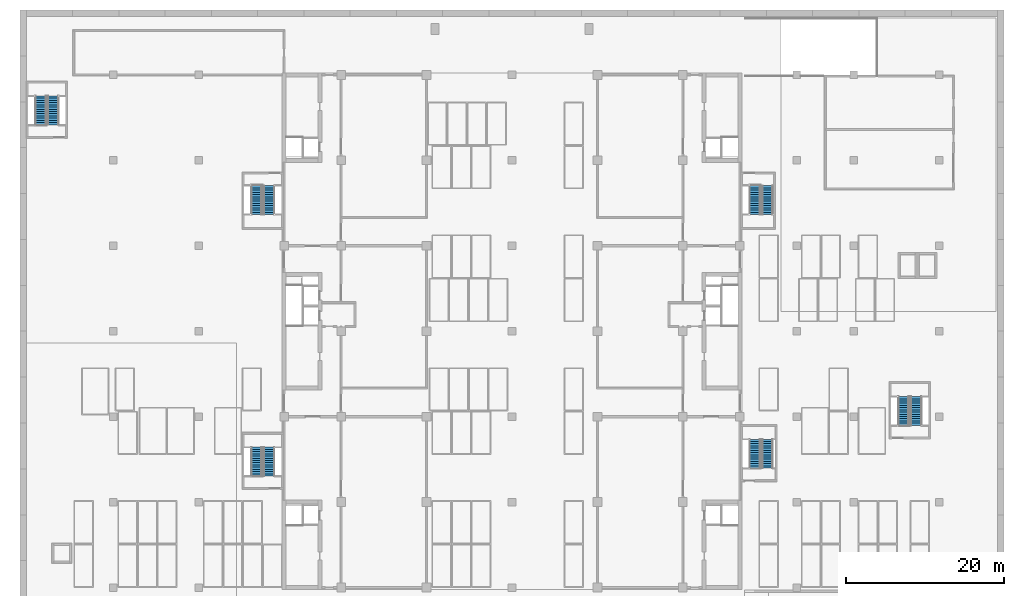
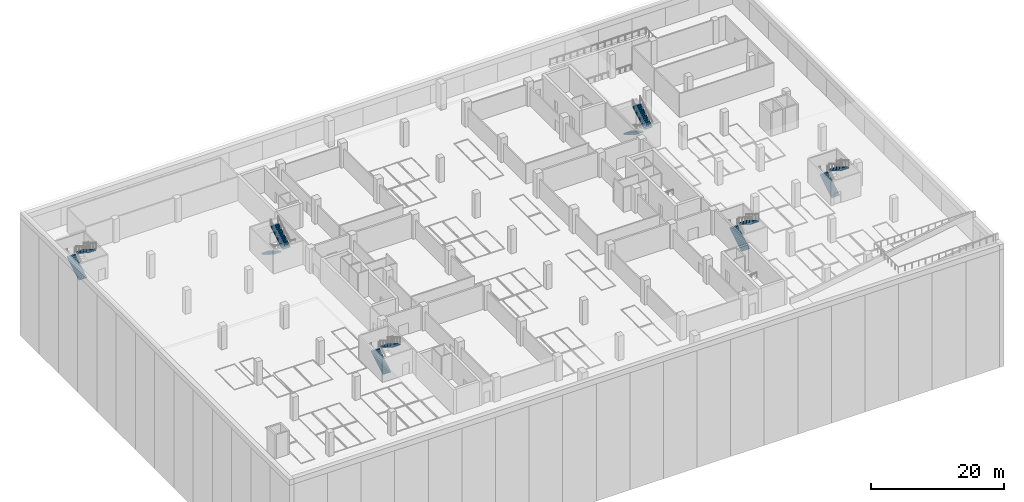
# One storey, part 10 of 18: 12 stair flights, 6 elements without a shape of their own.
"""IFC4 building model written with IfcOpenShell, lengths in metres."""

from ifc_helpers import new_model, si_unit, direction, frame, origin, place, context, subcontext, project, spatial, polyline, outline, extrude, material, type_object, element, aggregate, save


model = new_model("IFC4")

# Units and contexts
model_context = context("Model", 3, precision=1e-05, world=origin(), true_north=direction((0.0, 1.0)))
body_context = subcontext(model_context, "Body", "Model", "MODEL_VIEW")
ifc_project = project(units=[si_unit("LENGTHUNIT", "METRE"), si_unit("AREAUNIT", "SQUARE_METRE"), si_unit("VOLUMEUNIT", "CUBIC_METRE"), si_unit("PLANEANGLEUNIT", "RADIAN"), si_unit("MASSUNIT", "GRAM", prefix="KILO")], contexts=[model_context])

# Site, building, storey
site_placement = place(None, origin())
site = spatial("IfcSite", under=ifc_project, at=site_placement, CompositionType="ELEMENT")
building_placement = place(site_placement, origin())
building = spatial("IfcBuilding", under=site, at=building_placement, Name="Basin Gate Institute", CompositionType="ELEMENT")
storey_placement = place(building_placement, frame((0.0, 0.0, -4.800048828125)))
storey = spatial("IfcBuildingStorey", under=building, at=storey_placement, Name="B1", CompositionType="ELEMENT", Elevation=-4.800048828125)

# Stair, stair flights
ifc_material_1 = material(Name="Concrete 40 MPa", Category="concrete")
stair_type = type_object("IfcStairType", Name="Stair ST", PredefinedType="HALF_TURN_STAIR", material=ifc_material_1)
stair_1_placement = place(storey_placement, origin())
stair_1 = element("IfcStair", 1, at=stair_1_placement, inside=storey, type_object=stair_type, material=ifc_material_1, Name="Basement stair ST-BS1 B1", PredefinedType="HALF_TURN_STAIR")
ifc_material_2 = material(Name="Concrete 40 MPa", Category="concrete")
stair_flight_type = type_object("IfcStairFlightType", Name="Stair flight FL", PredefinedType="STRAIGHT", material=ifc_material_2)
stair_flight_1_placement = place(storey_placement, frame((57.699951171875, 49.199951171875, 0.0), z_axis=(0.0, 0.0, 1.0), x_axis=(0.0, 1.0, 0.0)))
stair_flight_1 = element("IfcStairFlight", 2, at=stair_flight_1_placement, type_object=stair_flight_type, material=ifc_material_2, Name="Stair flight ST-BS1-F1 B1", NumberOfRisers=14, NumberOfTreads=13, PredefinedType="STRAIGHT", RiserHeight=0.171428571, TreadLength=0.28, context=body_context, shape_type="SweptSolid", body=[
    extrude(outline(polyline([(0.0, 0.0), (0.0, 0.17138671875), (0.280029296875, 0.17138671875), (0.280029296875, 0.3427734375), (0.56005859375, 0.3427734375), (0.56005859375, 0.514404296875), (0.840087890625, 0.514404296875), (0.840087890625, 0.685791015625), (1.1201171875, 0.685791015625), (1.1201171875, 0.857177734375), (1.39990234375, 0.857177734375), (1.39990234375, 1.028564453125), (1.679931640625, 1.028564453125), (1.679931640625, 1.199951171875), (1.9599609375, 1.199951171875), (1.9599609375, 1.371337890625), (2.239990234375, 1.371337890625), (2.239990234375, 1.54296875), (2.52001953125, 1.54296875), (2.52001953125, 1.71435546875), (2.800048828125, 1.71435546875), (2.800048828125, 1.8857421875), (3.080078125, 1.8857421875), (3.080078125, 2.05712890625), (3.360107421875, 2.05712890625), (3.360107421875, 2.228515625), (3.639892578125, 2.228515625), (3.639892578125, 2.39990234375), (3.639892578125, 2.052734375), (0.287109375, 0.0), (0.0, 0.0)])), frame((0.0, 0.699951171875, 0.0), z_axis=(0.0, -1.0, 0.0), x_axis=(1.0, 0.0, 0.0)), (0.0, 0.0, 1.0), 1.39990234375),
])
stair_flight_2_placement = place(storey_placement, frame((59.300048828125, 52.840087890625, 2.400146484375), z_axis=(0.0, 0.0, 1.0), x_axis=(0.0, -1.0, 0.0)))
stair_flight_2 = element("IfcStairFlight", 3, at=stair_flight_2_placement, type_object=stair_flight_type, material=ifc_material_2, Name="Stair flight ST-BS1-F2 B1", NumberOfRisers=14, NumberOfTreads=13, PredefinedType="STRAIGHT", RiserHeight=0.171428571, TreadLength=0.28, context=body_context, shape_type="SweptSolid", body=[
    extrude(outline(polyline([(0.0, 0.0), (0.0, 0.17138671875), (0.280029296875, 0.17138671875), (0.280029296875, 0.3427734375), (0.56005859375, 0.3427734375), (0.56005859375, 0.514404296875), (0.840087890625, 0.514404296875), (0.840087890625, 0.685791015625), (1.1201171875, 0.685791015625), (1.1201171875, 0.857177734375), (1.39990234375, 0.857177734375), (1.39990234375, 1.028564453125), (1.679931640625, 1.028564453125), (1.679931640625, 1.199951171875), (1.9599609375, 1.199951171875), (1.9599609375, 1.371337890625), (2.239990234375, 1.371337890625), (2.239990234375, 1.54296875), (2.52001953125, 1.54296875), (2.52001953125, 1.71435546875), (2.800048828125, 1.71435546875), (2.800048828125, 1.8857421875), (3.080078125, 1.8857421875), (3.080078125, 2.05712890625), (3.360107421875, 2.05712890625), (3.360107421875, 2.228515625), (3.639892578125, 2.228515625), (3.639892578125, 2.39990234375), (3.639892578125, 2.052734375), (0.287109375, 0.0), (0.0, 0.0)])), frame((0.0, 0.699951171875, 0.0), z_axis=(0.0, -1.0, 0.0), x_axis=(1.0, 0.0, 0.0)), (0.0, 0.0, 1.0), 1.39990234375),
])
aggregate(stair_1, [stair_flight_1, stair_flight_2])

stair_2_placement = place(storey_placement, origin())
stair_2 = element("IfcStair", 4, at=stair_2_placement, inside=storey, type_object=stair_type, material=ifc_material_1, Name="Basement stair ST-BS2 B1", PredefinedType="HALF_TURN_STAIR")
stair_flight_3_placement = place(storey_placement, frame((57.699951171875, 85.89990234375, 0.0), z_axis=(0.0, 0.0, 1.0), x_axis=(0.0, -1.0, 0.0)))
stair_flight_3 = element("IfcStairFlight", 5, at=stair_flight_3_placement, type_object=stair_flight_type, material=ifc_material_2, Name="Stair flight ST-BS2-F1 B1", NumberOfRisers=14, NumberOfTreads=13, PredefinedType="STRAIGHT", RiserHeight=0.171428571, TreadLength=0.28, context=body_context, shape_type="SweptSolid", body=[
    extrude(outline(polyline([(0.0, 0.0), (0.0, 0.17138671875), (0.280029296875, 0.17138671875), (0.280029296875, 0.3427734375), (0.56005859375, 0.3427734375), (0.56005859375, 0.514404296875), (0.840087890625, 0.514404296875), (0.840087890625, 0.685791015625), (1.1201171875, 0.685791015625), (1.1201171875, 0.857177734375), (1.39990234375, 0.857177734375), (1.39990234375, 1.028564453125), (1.679931640625, 1.028564453125), (1.679931640625, 1.199951171875), (1.9599609375, 1.199951171875), (1.9599609375, 1.371337890625), (2.239990234375, 1.371337890625), (2.239990234375, 1.54296875), (2.52001953125, 1.54296875), (2.52001953125, 1.71435546875), (2.800048828125, 1.71435546875), (2.800048828125, 1.8857421875), (3.080078125, 1.8857421875), (3.080078125, 2.05712890625), (3.360107421875, 2.05712890625), (3.360107421875, 2.228515625), (3.639892578125, 2.228515625), (3.639892578125, 2.39990234375), (3.639892578125, 2.052734375), (0.287109375, 0.0), (0.0, 0.0)])), frame((0.0, 0.699951171875, 0.0), z_axis=(0.0, -1.0, 0.0), x_axis=(1.0, 0.0, 0.0)), (0.0, 0.0, 1.0), 1.39990234375),
])
stair_flight_4_placement = place(storey_placement, frame((59.300048828125, 82.260009765625, 2.400146484375), z_axis=(0.0, 0.0, 1.0), x_axis=(0.0, 1.0, 0.0)))
stair_flight_4 = element("IfcStairFlight", 6, at=stair_flight_4_placement, type_object=stair_flight_type, material=ifc_material_2, Name="Stair flight ST-BS2-F2 B1", NumberOfRisers=14, NumberOfTreads=13, PredefinedType="STRAIGHT", RiserHeight=0.171428571, TreadLength=0.28, context=body_context, shape_type="SweptSolid", body=[
    extrude(outline(polyline([(0.0, 0.0), (0.0, 0.17138671875), (0.280029296875, 0.17138671875), (0.280029296875, 0.3427734375), (0.56005859375, 0.3427734375), (0.56005859375, 0.514404296875), (0.840087890625, 0.514404296875), (0.840087890625, 0.685791015625), (1.1201171875, 0.685791015625), (1.1201171875, 0.857177734375), (1.39990234375, 0.857177734375), (1.39990234375, 1.028564453125), (1.679931640625, 1.028564453125), (1.679931640625, 1.199951171875), (1.9599609375, 1.199951171875), (1.9599609375, 1.371337890625), (2.239990234375, 1.371337890625), (2.239990234375, 1.54296875), (2.52001953125, 1.54296875), (2.52001953125, 1.71435546875), (2.800048828125, 1.71435546875), (2.800048828125, 1.8857421875), (3.080078125, 1.8857421875), (3.080078125, 2.05712890625), (3.360107421875, 2.05712890625), (3.360107421875, 2.228515625), (3.639892578125, 2.228515625), (3.639892578125, 2.39990234375), (3.639892578125, 2.052734375), (0.287109375, 0.0), (0.0, 0.0)])), frame((0.0, 0.699951171875, 0.0), z_axis=(0.0, -1.0, 0.0), x_axis=(1.0, 0.0, 0.0)), (0.0, 0.0, 1.0), 1.39990234375),
])
aggregate(stair_2, [stair_flight_3, stair_flight_4])

stair_3_placement = place(storey_placement, origin())
stair_3 = element("IfcStair", 7, at=stair_3_placement, inside=storey, type_object=stair_type, material=ifc_material_1, Name="Basement stair ST-BS3 B1", PredefinedType="HALF_TURN_STAIR")
stair_flight_5_placement = place(storey_placement, frame((120.699951171875, 50.199951171875, 0.0), z_axis=(0.0, 0.0, 1.0), x_axis=(0.0, 1.0, 0.0)))
stair_flight_5 = element("IfcStairFlight", 8, at=stair_flight_5_placement, type_object=stair_flight_type, material=ifc_material_2, Name="Stair flight ST-BS3-F1 B1", NumberOfRisers=14, NumberOfTreads=13, PredefinedType="STRAIGHT", RiserHeight=0.171428571, TreadLength=0.28, context=body_context, shape_type="SweptSolid", body=[
    extrude(outline(polyline([(0.0, 0.0), (0.0, 0.17138671875), (0.280029296875, 0.17138671875), (0.280029296875, 0.3427734375), (0.56005859375, 0.3427734375), (0.56005859375, 0.514404296875), (0.840087890625, 0.514404296875), (0.840087890625, 0.685791015625), (1.1201171875, 0.685791015625), (1.1201171875, 0.857177734375), (1.39990234375, 0.857177734375), (1.39990234375, 1.028564453125), (1.679931640625, 1.028564453125), (1.679931640625, 1.199951171875), (1.9599609375, 1.199951171875), (1.9599609375, 1.371337890625), (2.239990234375, 1.371337890625), (2.239990234375, 1.54296875), (2.52001953125, 1.54296875), (2.52001953125, 1.71435546875), (2.800048828125, 1.71435546875), (2.800048828125, 1.8857421875), (3.080078125, 1.8857421875), (3.080078125, 2.05712890625), (3.360107421875, 2.05712890625), (3.360107421875, 2.228515625), (3.639892578125, 2.228515625), (3.639892578125, 2.39990234375), (3.639892578125, 2.052734375), (0.287109375, 0.0), (0.0, 0.0)])), frame((0.0, 0.699951171875, 0.0), z_axis=(0.0, -1.0, 0.0), x_axis=(1.0, 0.0, 0.0)), (0.0, 0.0, 1.0), 1.39990234375),
])
stair_flight_6_placement = place(storey_placement, frame((122.300048828125, 53.840087890625, 2.400146484375), z_axis=(0.0, 0.0, 1.0), x_axis=(0.0, -1.0, 0.0)))
stair_flight_6 = element("IfcStairFlight", 9, at=stair_flight_6_placement, type_object=stair_flight_type, material=ifc_material_2, Name="Stair flight ST-BS3-F2 B1", NumberOfRisers=14, NumberOfTreads=13, PredefinedType="STRAIGHT", RiserHeight=0.171428571, TreadLength=0.28, context=body_context, shape_type="SweptSolid", body=[
    extrude(outline(polyline([(0.0, 0.0), (0.0, 0.17138671875), (0.280029296875, 0.17138671875), (0.280029296875, 0.3427734375), (0.56005859375, 0.3427734375), (0.56005859375, 0.514404296875), (0.840087890625, 0.514404296875), (0.840087890625, 0.685791015625), (1.1201171875, 0.685791015625), (1.1201171875, 0.857177734375), (1.39990234375, 0.857177734375), (1.39990234375, 1.028564453125), (1.679931640625, 1.028564453125), (1.679931640625, 1.199951171875), (1.9599609375, 1.199951171875), (1.9599609375, 1.371337890625), (2.239990234375, 1.371337890625), (2.239990234375, 1.54296875), (2.52001953125, 1.54296875), (2.52001953125, 1.71435546875), (2.800048828125, 1.71435546875), (2.800048828125, 1.8857421875), (3.080078125, 1.8857421875), (3.080078125, 2.05712890625), (3.360107421875, 2.05712890625), (3.360107421875, 2.228515625), (3.639892578125, 2.228515625), (3.639892578125, 2.39990234375), (3.639892578125, 2.052734375), (0.287109375, 0.0), (0.0, 0.0)])), frame((0.0, 0.699951171875, 0.0), z_axis=(0.0, -1.0, 0.0), x_axis=(1.0, 0.0, 0.0)), (0.0, 0.0, 1.0), 1.39990234375),
])
aggregate(stair_3, [stair_flight_5, stair_flight_6])

stair_4_placement = place(storey_placement, origin())
stair_4 = element("IfcStair", 10, at=stair_4_placement, inside=storey, type_object=stair_type, material=ifc_material_1, Name="Basement stair ST-BS4 B1", PredefinedType="HALF_TURN_STAIR")
stair_flight_7_placement = place(storey_placement, frame((120.699951171875, 85.89990234375, 0.0), z_axis=(0.0, 0.0, 1.0), x_axis=(0.0, -1.0, 0.0)))
stair_flight_7 = element("IfcStairFlight", 11, at=stair_flight_7_placement, type_object=stair_flight_type, material=ifc_material_2, Name="Stair flight ST-BS4-F1 B1", NumberOfRisers=14, NumberOfTreads=13, PredefinedType="STRAIGHT", RiserHeight=0.171428571, TreadLength=0.28, context=body_context, shape_type="SweptSolid", body=[
    extrude(outline(polyline([(0.0, 0.0), (0.0, 0.17138671875), (0.280029296875, 0.17138671875), (0.280029296875, 0.3427734375), (0.56005859375, 0.3427734375), (0.56005859375, 0.514404296875), (0.840087890625, 0.514404296875), (0.840087890625, 0.685791015625), (1.1201171875, 0.685791015625), (1.1201171875, 0.857177734375), (1.39990234375, 0.857177734375), (1.39990234375, 1.028564453125), (1.679931640625, 1.028564453125), (1.679931640625, 1.199951171875), (1.9599609375, 1.199951171875), (1.9599609375, 1.371337890625), (2.239990234375, 1.371337890625), (2.239990234375, 1.54296875), (2.52001953125, 1.54296875), (2.52001953125, 1.71435546875), (2.800048828125, 1.71435546875), (2.800048828125, 1.8857421875), (3.080078125, 1.8857421875), (3.080078125, 2.05712890625), (3.360107421875, 2.05712890625), (3.360107421875, 2.228515625), (3.639892578125, 2.228515625), (3.639892578125, 2.39990234375), (3.639892578125, 2.052734375), (0.287109375, 0.0), (0.0, 0.0)])), frame((0.0, 0.699951171875, 0.0), z_axis=(0.0, -1.0, 0.0), x_axis=(1.0, 0.0, 0.0)), (0.0, 0.0, 1.0), 1.39990234375),
])
stair_flight_8_placement = place(storey_placement, frame((122.300048828125, 82.260009765625, 2.400146484375), z_axis=(0.0, 0.0, 1.0), x_axis=(0.0, 1.0, 0.0)))
stair_flight_8 = element("IfcStairFlight", 12, at=stair_flight_8_placement, type_object=stair_flight_type, material=ifc_material_2, Name="Stair flight ST-BS4-F2 B1", NumberOfRisers=14, NumberOfTreads=13, PredefinedType="STRAIGHT", RiserHeight=0.171428571, TreadLength=0.28, context=body_context, shape_type="SweptSolid", body=[
    extrude(outline(polyline([(0.0, 0.0), (0.0, 0.17138671875), (0.280029296875, 0.17138671875), (0.280029296875, 0.3427734375), (0.56005859375, 0.3427734375), (0.56005859375, 0.514404296875), (0.840087890625, 0.514404296875), (0.840087890625, 0.685791015625), (1.1201171875, 0.685791015625), (1.1201171875, 0.857177734375), (1.39990234375, 0.857177734375), (1.39990234375, 1.028564453125), (1.679931640625, 1.028564453125), (1.679931640625, 1.199951171875), (1.9599609375, 1.199951171875), (1.9599609375, 1.371337890625), (2.239990234375, 1.371337890625), (2.239990234375, 1.54296875), (2.52001953125, 1.54296875), (2.52001953125, 1.71435546875), (2.800048828125, 1.71435546875), (2.800048828125, 1.8857421875), (3.080078125, 1.8857421875), (3.080078125, 2.05712890625), (3.360107421875, 2.05712890625), (3.360107421875, 2.228515625), (3.639892578125, 2.228515625), (3.639892578125, 2.39990234375), (3.639892578125, 2.052734375), (0.287109375, 0.0), (0.0, 0.0)])), frame((0.0, 0.699951171875, 0.0), z_axis=(0.0, -1.0, 0.0), x_axis=(1.0, 0.0, 0.0)), (0.0, 0.0, 1.0), 1.39990234375),
])
aggregate(stair_4, [stair_flight_7, stair_flight_8])

stair_5_placement = place(storey_placement, origin())
stair_5 = element("IfcStair", 13, at=stair_5_placement, inside=storey, type_object=stair_type, material=ifc_material_1, Name="Basement stair ST-BS5 B1", PredefinedType="HALF_TURN_STAIR")
stair_flight_9_placement = place(storey_placement, frame((30.39990234375, 93.60009765625, 0.0), z_axis=(0.0, 0.0, 1.0), x_axis=(0.0, 1.0, 0.0)))
stair_flight_9 = element("IfcStairFlight", 14, at=stair_flight_9_placement, type_object=stair_flight_type, material=ifc_material_2, Name="Stair flight ST-BS5-F1 B1", NumberOfRisers=14, NumberOfTreads=13, PredefinedType="STRAIGHT", RiserHeight=0.171428571, TreadLength=0.28, context=body_context, shape_type="SweptSolid", body=[
    extrude(outline(polyline([(0.0, 0.0), (0.0, 0.17138671875), (0.280029296875, 0.17138671875), (0.280029296875, 0.3427734375), (0.56005859375, 0.3427734375), (0.56005859375, 0.514404296875), (0.840087890625, 0.514404296875), (0.840087890625, 0.685791015625), (1.1201171875, 0.685791015625), (1.1201171875, 0.857177734375), (1.39990234375, 0.857177734375), (1.39990234375, 1.028564453125), (1.679931640625, 1.028564453125), (1.679931640625, 1.199951171875), (1.9599609375, 1.199951171875), (1.9599609375, 1.371337890625), (2.239990234375, 1.371337890625), (2.239990234375, 1.54296875), (2.52001953125, 1.54296875), (2.52001953125, 1.71435546875), (2.800048828125, 1.71435546875), (2.800048828125, 1.8857421875), (3.080078125, 1.8857421875), (3.080078125, 2.05712890625), (3.360107421875, 2.05712890625), (3.360107421875, 2.228515625), (3.639892578125, 2.228515625), (3.639892578125, 2.39990234375), (3.639892578125, 2.052734375), (0.287109375, 0.0), (0.0, 0.0)])), frame((0.0, 0.699951171875, 0.0), z_axis=(0.0, -1.0, 0.0), x_axis=(1.0, 0.0, 0.0)), (0.0, 0.0, 1.0), 1.39990234375),
])
stair_flight_10_placement = place(storey_placement, frame((32.0, 97.239990234375, 2.400146484375), z_axis=(0.0, 0.0, 1.0), x_axis=(0.0, -1.0, 0.0)))
stair_flight_10 = element("IfcStairFlight", 15, at=stair_flight_10_placement, type_object=stair_flight_type, material=ifc_material_2, Name="Stair flight ST-BS5-F2 B1", NumberOfRisers=14, NumberOfTreads=13, PredefinedType="STRAIGHT", RiserHeight=0.171428571, TreadLength=0.28, context=body_context, shape_type="SweptSolid", body=[
    extrude(outline(polyline([(0.0, 0.0), (0.0, 0.17138671875), (0.280029296875, 0.17138671875), (0.280029296875, 0.3427734375), (0.56005859375, 0.3427734375), (0.56005859375, 0.514404296875), (0.840087890625, 0.514404296875), (0.840087890625, 0.685791015625), (1.1201171875, 0.685791015625), (1.1201171875, 0.857177734375), (1.39990234375, 0.857177734375), (1.39990234375, 1.028564453125), (1.679931640625, 1.028564453125), (1.679931640625, 1.199951171875), (1.9599609375, 1.199951171875), (1.9599609375, 1.371337890625), (2.239990234375, 1.371337890625), (2.239990234375, 1.54296875), (2.52001953125, 1.54296875), (2.52001953125, 1.71435546875), (2.800048828125, 1.71435546875), (2.800048828125, 1.8857421875), (3.080078125, 1.8857421875), (3.080078125, 2.05712890625), (3.360107421875, 2.05712890625), (3.360107421875, 2.228515625), (3.639892578125, 2.228515625), (3.639892578125, 2.39990234375), (3.639892578125, 2.052734375), (0.287109375, 0.0), (0.0, 0.0)])), frame((0.0, 0.699951171875, 0.0), z_axis=(0.0, -1.0, 0.0), x_axis=(1.0, 0.0, 0.0)), (0.0, 0.0, 1.0), 1.39990234375),
])
aggregate(stair_5, [stair_flight_9, stair_flight_10])

stair_6_placement = place(storey_placement, origin())
stair_6 = element("IfcStair", 16, at=stair_6_placement, inside=storey, type_object=stair_type, material=ifc_material_1, Name="Basement stair ST-BS6 B1", PredefinedType="HALF_TURN_STAIR")
stair_flight_11_placement = place(storey_placement, frame((139.5, 55.60009765625, 0.0), z_axis=(0.0, 0.0, 1.0), x_axis=(0.0, 1.0, 0.0)))
stair_flight_11 = element("IfcStairFlight", 17, at=stair_flight_11_placement, type_object=stair_flight_type, material=ifc_material_2, Name="Stair flight ST-BS6-F1 B1", NumberOfRisers=14, NumberOfTreads=13, PredefinedType="STRAIGHT", RiserHeight=0.171428571, TreadLength=0.28, context=body_context, shape_type="SweptSolid", body=[
    extrude(outline(polyline([(0.0, 0.0), (0.0, 0.17138671875), (0.280029296875, 0.17138671875), (0.280029296875, 0.3427734375), (0.56005859375, 0.3427734375), (0.56005859375, 0.514404296875), (0.840087890625, 0.514404296875), (0.840087890625, 0.685791015625), (1.1201171875, 0.685791015625), (1.1201171875, 0.857177734375), (1.39990234375, 0.857177734375), (1.39990234375, 1.028564453125), (1.679931640625, 1.028564453125), (1.679931640625, 1.199951171875), (1.9599609375, 1.199951171875), (1.9599609375, 1.371337890625), (2.239990234375, 1.371337890625), (2.239990234375, 1.54296875), (2.52001953125, 1.54296875), (2.52001953125, 1.71435546875), (2.800048828125, 1.71435546875), (2.800048828125, 1.8857421875), (3.080078125, 1.8857421875), (3.080078125, 2.05712890625), (3.360107421875, 2.05712890625), (3.360107421875, 2.228515625), (3.639892578125, 2.228515625), (3.639892578125, 2.39990234375), (3.639892578125, 2.052734375), (0.287109375, 0.0), (0.0, 0.0)])), frame((0.0, 0.699951171875, 0.0), z_axis=(0.0, -1.0, 0.0), x_axis=(1.0, 0.0, 0.0)), (0.0, 0.0, 1.0), 1.39990234375),
])
stair_flight_12_placement = place(storey_placement, frame((141.10009765625, 59.239990234375, 2.400146484375), z_axis=(0.0, 0.0, 1.0), x_axis=(0.0, -1.0, 0.0)))
stair_flight_12 = element("IfcStairFlight", 18, at=stair_flight_12_placement, type_object=stair_flight_type, material=ifc_material_2, Name="Stair flight ST-BS6-F2 B1", NumberOfRisers=14, NumberOfTreads=13, PredefinedType="STRAIGHT", RiserHeight=0.171428571, TreadLength=0.28, context=body_context, shape_type="SweptSolid", body=[
    extrude(outline(polyline([(0.0, 0.0), (0.0, 0.17138671875), (0.280029296875, 0.17138671875), (0.280029296875, 0.3427734375), (0.56005859375, 0.3427734375), (0.56005859375, 0.514404296875), (0.840087890625, 0.514404296875), (0.840087890625, 0.685791015625), (1.1201171875, 0.685791015625), (1.1201171875, 0.857177734375), (1.39990234375, 0.857177734375), (1.39990234375, 1.028564453125), (1.679931640625, 1.028564453125), (1.679931640625, 1.199951171875), (1.9599609375, 1.199951171875), (1.9599609375, 1.371337890625), (2.239990234375, 1.371337890625), (2.239990234375, 1.54296875), (2.52001953125, 1.54296875), (2.52001953125, 1.71435546875), (2.800048828125, 1.71435546875), (2.800048828125, 1.8857421875), (3.080078125, 1.8857421875), (3.080078125, 2.05712890625), (3.360107421875, 2.05712890625), (3.360107421875, 2.228515625), (3.639892578125, 2.228515625), (3.639892578125, 2.39990234375), (3.639892578125, 2.052734375), (0.287109375, 0.0), (0.0, 0.0)])), frame((0.0, 0.699951171875, 0.0), z_axis=(0.0, -1.0, 0.0), x_axis=(1.0, 0.0, 0.0)), (0.0, 0.0, 1.0), 1.39990234375),
])
aggregate(stair_6, [stair_flight_11, stair_flight_12])

save(model, "model.ifc")
